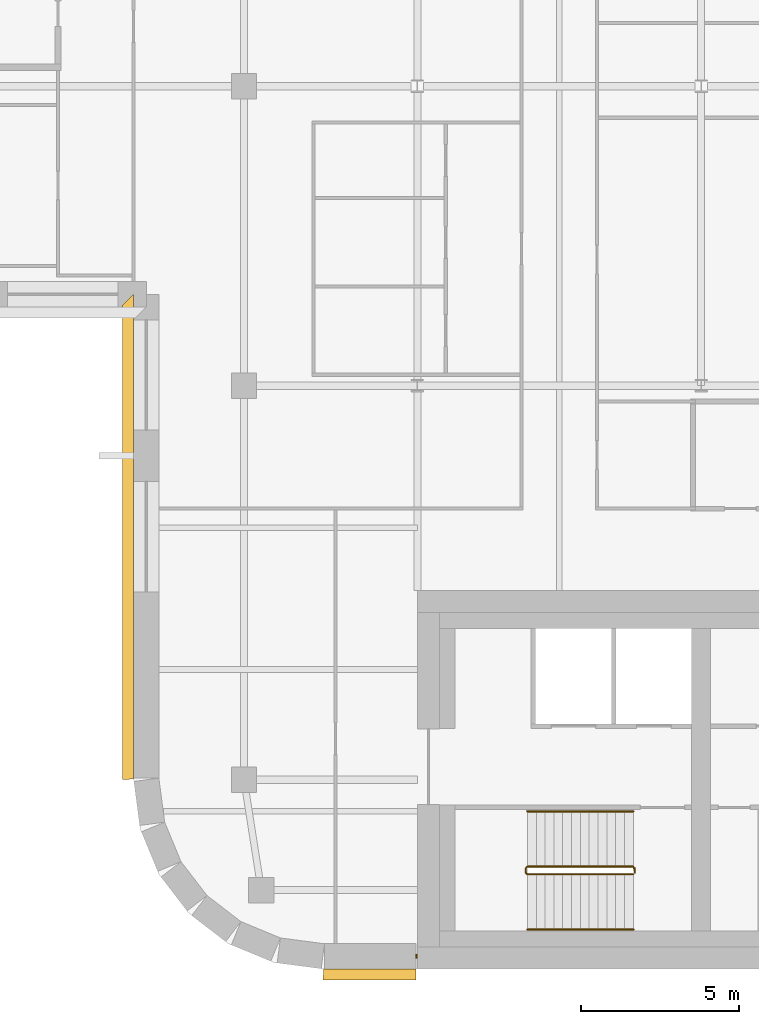
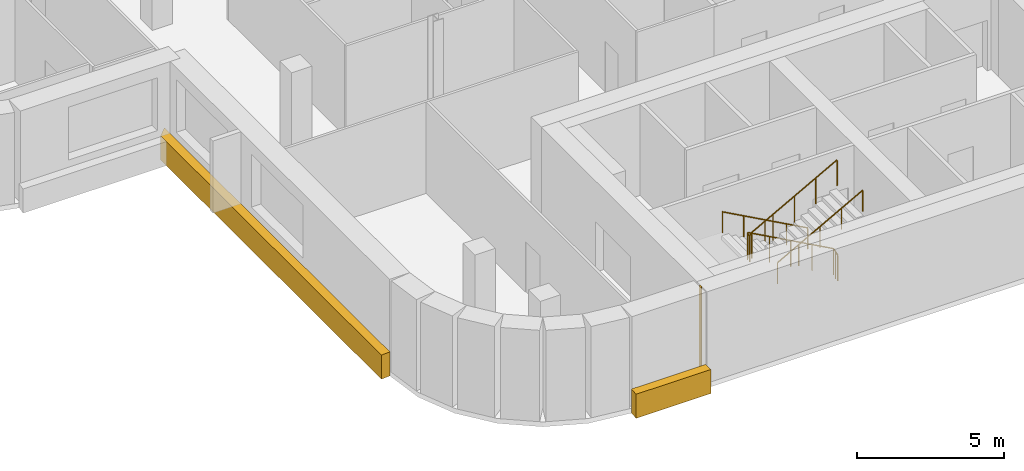
# One storey, part 13 of 16: 3 coverings, 3 railings.
"""IFC4 building model written with IfcOpenShell, lengths in metres."""

import ifcopenshell
import ifcopenshell.guid

model = None  # the IFC model being written
_history = None  # IfcOwnerHistory: only IFC2X3 demands one
_inside = {}  # id of a spatial element -> (the spatial element, [elements in it])
_under = {}  # id of a project, library or spatial element -> (it, [spatial elements below it])
_declared = {}  # id of a project -> (the project, [libraries it declares])
_typed = {}  # id of a type object -> (the type object, [elements of that type])
_made_of = {}  # id of a material, layer set ... -> (it, [elements and type objects made of it])


def new_model(schema):
    """Start an empty IFC model of exactly this schema.

    Asked for "IFC4X3", IfcOpenShell would pick the latest addendum, in which some entities
    have other attributes; the version numbers below select the first issue.
    IFC2X3 requires an IfcOwnerHistory on every rooted entity: one is made here for all.
    """
    global model, _history
    if schema == "IFC4X3":
        model = ifcopenshell.file(schema_version=(4, 3, 0, 0))
    else:
        model = ifcopenshell.file(schema=schema)
    _inside.clear()
    _under.clear()
    _declared.clear()
    _typed.clear()
    _made_of.clear()
    _history = None
    if model.schema == "IFC2X3":
        org = make("IfcOrganization", Name="unknown")
        user = make(
            "IfcPersonAndOrganization",
            ThePerson=make("IfcPerson", FamilyName="unknown"),
            TheOrganization=org,
        )
        app = make(
            "IfcApplication",
            ApplicationDeveloper=org,
            Version="unknown",
            ApplicationFullName="unknown",
            ApplicationIdentifier="unknown",
        )
        _history = make(
            "IfcOwnerHistory",
            OwningUser=user,
            OwningApplication=app,
            ChangeAction="ADDED",
            CreationDate=0,
        )
    return model


def make(cls, **values):
    """One entity of the class cls with the attributes given. An attribute that is None is left unset."""
    return model.create_entity(
        cls, **{name: value for name, value in values.items() if value is not None}
    )


def rooted(cls, **values):
    """An entity with a GlobalId (a new one), such as an element, a storey or a relation."""
    return make(cls, GlobalId=ifcopenshell.guid.new(), OwnerHistory=_history, **values)


def si_unit(unit_type, name, prefix=None):
    """IfcSIUnit, for example si_unit("LENGTHUNIT", "METRE", prefix="MILLI")."""
    return make("IfcSIUnit", UnitType=unit_type, Prefix=prefix, Name=name)


def assignment(units):
    """IfcUnitAssignment: the units of a project."""
    return None if units is None else make("IfcUnitAssignment", Units=units)


def point(xyz):
    """IfcCartesianPoint."""
    return None if xyz is None else make("IfcCartesianPoint", Coordinates=xyz)


def direction(xyz):
    """IfcDirection."""
    return None if xyz is None else make("IfcDirection", DirectionRatios=xyz)


def frame(location, z_axis=None, x_axis=None):
    """IfcAxis2Placement3D, a coordinate frame: its origin and axes. An axis left out is left unset."""
    return make(
        "IfcAxis2Placement3D",
        Location=point(location),
        Axis=direction(z_axis),
        RefDirection=direction(x_axis),
    )


def frame_2d(location, x_axis=None):
    """IfcAxis2Placement2D, a coordinate frame in the plane: its origin and x axis."""
    return make(
        "IfcAxis2Placement2D", Location=point(location), RefDirection=direction(x_axis)
    )


def origin():
    """The frame at (0, 0, 0) with its axes left unset."""
    return frame((0.0, 0.0, 0.0))


def origin_2d():
    """The frame at (0, 0) in the plane with its x axis left unset."""
    return frame_2d((0.0, 0.0))


def place(relative_to, where):
    """IfcLocalPlacement: puts the frame where relative to a parent placement (None: the world)."""
    return make(
        "IfcLocalPlacement", PlacementRelTo=relative_to, RelativePlacement=where
    )


def context(
    kind, dimensions, precision=None, world=None, true_north=None, identifier=None
):
    """IfcGeometricRepresentationContext, for example the 3D "Model" context."""
    return make(
        "IfcGeometricRepresentationContext",
        ContextIdentifier=identifier,
        ContextType=kind,
        CoordinateSpaceDimension=dimensions,
        Precision=precision,
        WorldCoordinateSystem=world,
        TrueNorth=true_north,
    )


def subcontext(parent, identifier, kind, view, scale=None):
    """IfcGeometricRepresentationSubContext, for example "Body" below "Model"."""
    return make(
        "IfcGeometricRepresentationSubContext",
        ContextIdentifier=identifier,
        ContextType=kind,
        ParentContext=parent,
        TargetScale=scale,
        TargetView=view,
    )


def project(units=None, contexts=None):
    """IfcProject with its units and contexts."""
    return rooted(
        "IfcProject",
        Name="project",
        RepresentationContexts=contexts,
        UnitsInContext=assignment(units),
    )


def spatial(cls, under=None, at=None, **own):
    """A site, building, storey or space (cls), placed at a placement, below another one or the project."""
    s = rooted(cls, ObjectPlacement=at, **own)
    if under is not None:
        _under.setdefault(under.id(), (under, []))[1].append(s)
    return s


def polyline(points):
    """IfcPolyline through the points."""
    return make("IfcPolyline", Points=[point(p) for p in points])


def profile(cls, at=None, kind="AREA", **sizes):
    """A parametric profile (cls). Its sizes go by their IFC names, for example OverallWidth=200.0."""
    return make(cls, ProfileType=kind, Position=at, **sizes)


def rectangle(**sizes):
    """IfcRectangleProfileDef."""
    return profile("IfcRectangleProfileDef", **sizes)


def circle(**sizes):
    """IfcCircleProfileDef."""
    return profile("IfcCircleProfileDef", **sizes)


def outline(outer, holes=None, kind="AREA"):
    """IfcArbitraryClosedProfileDef: a profile drawn as a closed curve; with holes, ...WithVoids."""
    if holes is None:
        return make("IfcArbitraryClosedProfileDef", ProfileType=kind, OuterCurve=outer)
    return make(
        "IfcArbitraryProfileDefWithVoids",
        ProfileType=kind,
        OuterCurve=outer,
        InnerCurves=holes,
    )


def extrude(swept, where, along, depth):
    """IfcExtrudedAreaSolid: the profile swept, set in the frame where, extruded along a direction by depth."""
    return make(
        "IfcExtrudedAreaSolid",
        SweptArea=swept,
        Position=where,
        ExtrudedDirection=direction(along),
        Depth=depth,
    )


def shape(context_of_items, identifier, shape_type, items):
    """IfcShapeRepresentation: the items that make up one representation, for example the "Body"."""
    return make(
        "IfcShapeRepresentation",
        ContextOfItems=context_of_items,
        RepresentationIdentifier=identifier,
        RepresentationType=shape_type,
        Items=items,
    )


def material(Name=None, Category=None):
    """IfcMaterial."""
    return make("IfcMaterial", Name=Name, Category=Category)


def layer(
    of_material, thickness, ventilated=None, Name=None, Category=None, Priority=None
):
    """IfcMaterialLayer: one layer of a wall or slab, of a material (None: an air gap)."""
    return make(
        "IfcMaterialLayer",
        Material=of_material,
        LayerThickness=thickness,
        IsVentilated=ventilated,
        Name=Name,
        Category=Category,
        Priority=Priority,
    )


def layer_set(layers, Name=None):
    """IfcMaterialLayerSet."""
    return make("IfcMaterialLayerSet", MaterialLayers=layers, LayerSetName=Name)


def made_of(thing, what):
    """Note that an element or type object is made of a material, layer set ...; save() writes the relation."""
    if what is not None:
        _made_of.setdefault(what.id(), (what, []))[1].append(thing)
    return thing


def type_object(cls, material=None, **own):
    """A type object (cls), such as IfcWallType, which elements share."""
    return made_of(rooted(cls, **own), material)


def element(
    cls,
    number,
    at=None,
    inside=None,
    cuts=None,
    type_object=None,
    material=None,
    context=None,
    identifier="Body",
    shape_type=None,
    held_by="IfcProductDefinitionShape",
    body=None,
    shapes=None,
    **own,
):
    """One element of the class cls, such as IfcWall. Its Tag is "e" and its number.

    at: its placement. inside: the storey or other place that contains it. cuts: it is an
    opening in that element (IfcRelVoidsElement). A single representation is given by context,
    identifier, shape_type and body (its items); several are given by shapes. held_by: the class
    of the entity that holds the representations. save() writes the other relations.
    """
    e = rooted(cls, Tag="e%d" % number, ObjectPlacement=at, **own)
    if body is not None:
        shapes = [shape(context, identifier, shape_type, body)]
    if shapes is not None:
        e.Representation = make(held_by, Representations=shapes)
    if inside is not None:
        _inside.setdefault(inside.id(), (inside, []))[1].append(e)
    if cuts is not None:
        rooted(
            "IfcRelVoidsElement", RelatingBuildingElement=cuts, RelatedOpeningElement=e
        )
    if type_object is not None:
        _typed.setdefault(type_object.id(), (type_object, []))[1].append(e)
    return made_of(e, material)


def aggregate(whole, parts):
    """IfcRelAggregates: a whole, such as a stair, and the parts it consists of."""
    return rooted("IfcRelAggregates", RelatingObject=whole, RelatedObjects=parts)


def save(model, path):
    """Write the relations noted so far, then the file.

    IfcRelAggregates (storeys below a building ...), IfcRelContainedInSpatialStructure (elements
    in a storey), IfcRelDefinesByType, IfcRelAssociatesMaterial and IfcRelDeclares: one each for
    every whole, place, type object, material and project.
    """
    for whole, parts in _under.values():
        aggregate(whole, parts)
    for where, things in _inside.values():
        rooted(
            "IfcRelContainedInSpatialStructure",
            RelatedElements=things,
            RelatingStructure=where,
        )
    for kind, things in _typed.values():
        rooted("IfcRelDefinesByType", RelatedObjects=things, RelatingType=kind)
    for what, things in _made_of.values():
        rooted("IfcRelAssociatesMaterial", RelatedObjects=things, RelatingMaterial=what)
    for by, libraries in _declared.values():
        rooted("IfcRelDeclares", RelatingContext=by, RelatedDefinitions=libraries)
    model.write(path)


model = new_model("IFC4")

# Units and contexts
model_context = context("Model", 3, precision=1e-05, world=origin(), true_north=direction((0.0, 1.0)))
body_context = subcontext(model_context, "Body", "Model", "MODEL_VIEW")
ifc_project = project(units=[si_unit("LENGTHUNIT", "METRE"), si_unit("AREAUNIT", "SQUARE_METRE"), si_unit("VOLUMEUNIT", "CUBIC_METRE"), si_unit("PLANEANGLEUNIT", "RADIAN"), si_unit("MASSUNIT", "GRAM", prefix="KILO")], contexts=[model_context])

# Site, building, storey
site_placement = place(None, origin())
site = spatial("IfcSite", under=ifc_project, at=site_placement, CompositionType="ELEMENT")
building_placement = place(site_placement, origin())
building = spatial("IfcBuilding", under=site, at=building_placement, Name="Zellij Exchange Tower", CompositionType="ELEMENT")
storey_placement = place(building_placement, frame((0.0, 0.0, 236.5)))
storey = spatial("IfcBuildingStorey", under=building, at=storey_placement, Name="L55", CompositionType="ELEMENT", Elevation=236.5)

# Railings
ifc_material_1 = material(Name="Stainless steel", Category="steel")
railing_type_1 = type_object("IfcRailingType", Name="CORE-RG stair guard", PredefinedType="GUARDRAIL", material=ifc_material_1)
railing_1_placement = place(storey_placement, frame((-20.10009765625, -10.800048828125, 0.0)))
element("IfcRailing", 1, at=railing_1_placement, inside=storey, type_object=railing_type_1, Name="ST1 stair guard L55", PredefinedType="GUARDRAIL", context=body_context, shape_type="SweptSolid", body=[
    extrude(circle(Radius=0.02392578125, at=origin_2d()), frame((0.0, 0.0, 1.076171875), z_axis=(0.0, -1.0, 0.0), x_axis=(1.0, 0.0, 0.0)), (0.0, 0.0, 1.0), 0.14990234375),
    extrude(circle(Radius=0.02392578125, at=origin_2d()), frame((0.0, -0.14990234375, 1.076171875), z_axis=(-0.193691321961, 0.777613689637, 0.598164376644), x_axis=(-0.970351222016, -0.241699205484, 0.0)), (0.0, 0.0, 1.0), 0.257080078125),
    extrude(circle(Radius=0.02392578125, at=origin_2d()), frame((-0.0498046875, 0.050048828125, 1.22998046875), z_axis=(-0.876421534553, 0.0, 0.481544695509), x_axis=(0.0, -1.0, 0.0)), (0.0, 0.0, 1.0), 3.833984375),
    extrude(circle(Radius=0.02392578125, at=origin_2d()), frame((-3.409912109375, 0.050048828125, 3.076171875), z_axis=(-0.707106781187, -0.707106781187, 0.0), x_axis=(0.707106781187, -0.707106781187, 0.0)), (0.0, 0.0, 1.0), 0.07080078125),
    extrude(circle(Radius=0.02392578125, at=origin_2d()), frame((-3.4599609375, 0.0, 3.076171875), z_axis=(0.0, -1.0, 0.0), x_axis=(1.0, 0.0, 0.0)), (0.0, 0.0, 1.0), 0.14990234375),
    extrude(circle(Radius=0.02392578125, at=origin_2d()), frame((-3.4599609375, -0.14990234375, 3.076171875), z_axis=(0.295599637079, -0.295599637079, 0.908428152975), x_axis=(0.707106781187, 0.707106781187, 0.0)), (0.0, 0.0, 1.0), 0.16943359375),
    extrude(circle(Radius=0.02392578125, at=origin_2d()), frame((-3.409912109375, -0.199951171875, 3.22998046875), z_axis=(0.876421534553, 0.0, 0.481544695509), x_axis=(0.0, 1.0, 0.0)), (0.0, 0.0, 1.0), 3.833984375),
    extrude(circle(Radius=0.02099609375, at=origin_2d()), origin(), (0.0, 0.0, 1.0), 1.052001953125),
    extrude(circle(Radius=0.02099609375, at=origin_2d()), frame((0.0, -0.14990234375, 0.0)), (0.0, 0.0, 1.0), 1.052001953125),
    extrude(circle(Radius=0.02099609375, at=origin_2d()), frame((-0.0498046875, 0.050048828125, 0.15380859375)), (0.0, 0.0, 1.0), 1.052001953125),
    extrude(circle(Radius=0.02099609375, at=origin_2d()), frame((-0.889892578125, 0.050048828125, 0.615234375)), (0.0, 0.0, 1.0), 1.052001953125),
    extrude(circle(Radius=0.02099609375, at=origin_2d()), frame((-1.72998046875, 0.050048828125, 1.076904296875)), (0.0, 0.0, 1.0), 1.052001953125),
    extrude(circle(Radius=0.02099609375, at=origin_2d()), frame((-2.56982421875, 0.050048828125, 1.53857421875)), (0.0, 0.0, 1.0), 1.052001953125),
    extrude(circle(Radius=0.02099609375, at=origin_2d()), frame((-3.409912109375, 0.050048828125, 2.0)), (0.0, 0.0, 1.0), 1.052001953125),
    extrude(circle(Radius=0.02099609375, at=origin_2d()), frame((-3.4599609375, 0.0, 2.0)), (0.0, 0.0, 1.0), 1.052001953125),
    extrude(circle(Radius=0.02099609375, at=origin_2d()), frame((-3.4599609375, -0.14990234375, 2.0)), (0.0, 0.0, 1.0), 1.052001953125),
    extrude(circle(Radius=0.02099609375, at=origin_2d()), frame((-3.409912109375, -0.199951171875, 2.15380859375)), (0.0, 0.0, 1.0), 1.052001953125),
    extrude(circle(Radius=0.02099609375, at=origin_2d()), frame((-2.56982421875, -0.199951171875, 2.615234375)), (0.0, 0.0, 1.0), 1.052001953125),
    extrude(circle(Radius=0.02099609375, at=origin_2d()), frame((-1.72998046875, -0.199951171875, 3.076904296875)), (0.0, 0.0, 1.0), 1.052001953125),
    extrude(circle(Radius=0.02099609375, at=origin_2d()), frame((-0.889892578125, -0.199951171875, 3.53857421875)), (0.0, 0.0, 1.0), 1.052001953125),
    extrude(circle(Radius=0.02099609375, at=origin_2d()), frame((-0.0498046875, -0.199951171875, 4.0)), (0.0, 0.0, 1.0), 1.052001953125),
])
railing_type_2 = type_object("IfcRailingType", Name="CORE-RH stair handrail", PredefinedType="HANDRAIL", material=ifc_material_1)
railing_2_placement = place(storey_placement, frame((-20.14990234375, -9.0, 0.15380859375)))
element("IfcRailing", 2, at=railing_2_placement, inside=storey, type_object=railing_type_2, Name="ST1 stair handrail L55", PredefinedType="HANDRAIL", context=body_context, shape_type="SweptSolid", body=[
    extrude(circle(Radius=0.02392578125, at=origin_2d()), frame((0.0, 0.0, 0.8759765625), z_axis=(-0.876421534553, 0.0, 0.481544695509), x_axis=(0.0, -1.0, 0.0)), (0.0, 0.0, 1.0), 3.833984375),
    extrude(circle(Radius=0.02099609375, at=origin_2d()), origin(), (0.0, 0.0, 1.0), 0.851806640625),
    extrude(circle(Radius=0.02099609375, at=origin_2d()), frame((-0.840087890625, 0.0, 0.46142578125)), (0.0, 0.0, 1.0), 0.851806640625),
    extrude(circle(Radius=0.02099609375, at=origin_2d()), frame((-1.68017578125, 0.0, 0.923095703125)), (0.0, 0.0, 1.0), 0.851806640625),
    extrude(circle(Radius=0.02099609375, at=origin_2d()), frame((-2.52001953125, 0.0, 1.384765625)), (0.0, 0.0, 1.0), 0.851806640625),
    extrude(circle(Radius=0.02099609375, at=origin_2d()), frame((-3.360107421875, 0.0, 1.84619140625)), (0.0, 0.0, 1.0), 0.851806640625),
])
railing_3_placement = place(storey_placement, frame((-23.510009765625, -12.75, 2.15380859375)))
element("IfcRailing", 3, at=railing_3_placement, inside=storey, type_object=railing_type_2, Name="ST1 stair handrail L55", PredefinedType="HANDRAIL", context=body_context, shape_type="SweptSolid", body=[
    extrude(circle(Radius=0.02392578125, at=origin_2d()), frame((0.0, 0.0, 0.8759765625), z_axis=(0.876421534553, 0.0, 0.481544695509), x_axis=(0.0, 1.0, 0.0)), (0.0, 0.0, 1.0), 3.833984375),
    extrude(circle(Radius=0.02099609375, at=origin_2d()), origin(), (0.0, 0.0, 1.0), 0.851806640625),
    extrude(circle(Radius=0.02099609375, at=origin_2d()), frame((0.840087890625, 0.0, 0.46142578125)), (0.0, 0.0, 1.0), 0.851806640625),
    extrude(circle(Radius=0.02099609375, at=origin_2d()), frame((1.68017578125, 0.0, 0.923095703125)), (0.0, 0.0, 1.0), 0.851806640625),
    extrude(circle(Radius=0.02099609375, at=origin_2d()), frame((2.52001953125, 0.0, 1.384765625)), (0.0, 0.0, 1.0), 0.851806640625),
    extrude(circle(Radius=0.02099609375, at=origin_2d()), frame((3.360107421875, 0.0, 1.84619140625)), (0.0, 0.0, 1.0), 0.851806640625),
])

# Coverings
ifc_material_2 = material(Name="Limestone cladding", Category="masonry")
ifc_layer_1 = layer(ifc_material_2, 0.35009765625)
ifc_layer_set_1 = layer_set([ifc_layer_1], Name="Limestone cladding")
covering_type_1 = type_object("IfcCoveringType", Name="ENV-CV10 Stone spandrel band 350", PredefinedType="CLADDING", material=ifc_layer_set_1)
covering_1_placement = place(storey_placement, frame((0.0, 0.0, -0.199951171875)))
element("IfcCovering", 4, at=covering_1_placement, inside=storey, type_object=covering_type_1, Name="Stone spandrel band", PredefinedType="CLADDING", context=body_context, shape_type="SweptSolid", body=[
    extrude(outline(polyline([(-29.973876953125, -14.0), (-27.050048828125, -14.0), (-27.050048828125, -14.35009765625), (-29.99658203125, -14.35009765625), (-29.973876953125, -14.0)])), origin(), (0.0, 0.0, 1.0), 1.0),
])
covering_2_placement = place(storey_placement, frame((0.0, 0.0, -0.199951171875)))
element("IfcCovering", 5, at=covering_2_placement, inside=storey, type_object=covering_type_1, Name="Stone spandrel band", PredefinedType="CLADDING", context=body_context, shape_type="SweptSolid", body=[
    extrude(outline(polyline([(-36.0, 7.39990234375), (-36.0, -7.973876953125), (-36.35009765625, -7.99658203125), (-36.35009765625, 7.050048828125), (-36.0, 7.39990234375)])), origin(), (0.0, 0.0, 1.0), 1.0),
])
ifc_layer_2 = layer(ifc_material_2, 0.1201171875)
ifc_layer_set_2 = layer_set([ifc_layer_2], Name="Limestone cladding")
covering_type_2 = type_object("IfcCoveringType", Name="ENV-CV18 Glazing closer 120", PredefinedType="CLADDING", material=ifc_layer_set_2)
covering_3_placement = place(storey_placement, frame((-27.02490234375, -13.60009765625, 0.0), z_axis=(0.0, 0.0, 1.0), x_axis=(1.0, 0.0, 0.0)))
element("IfcCovering", 6, at=covering_3_placement, inside=storey, type_object=covering_type_2, Name="Glazing closer", PredefinedType="CLADDING", context=body_context, shape_type="SweptSolid", body=[
    extrude(rectangle(XDim=0.050048828125, YDim=0.1201171875, at=origin_2d()), origin(), (0.0, 0.0, 1.0), 3.800048828125),
])

save(model, "model.ifc")
